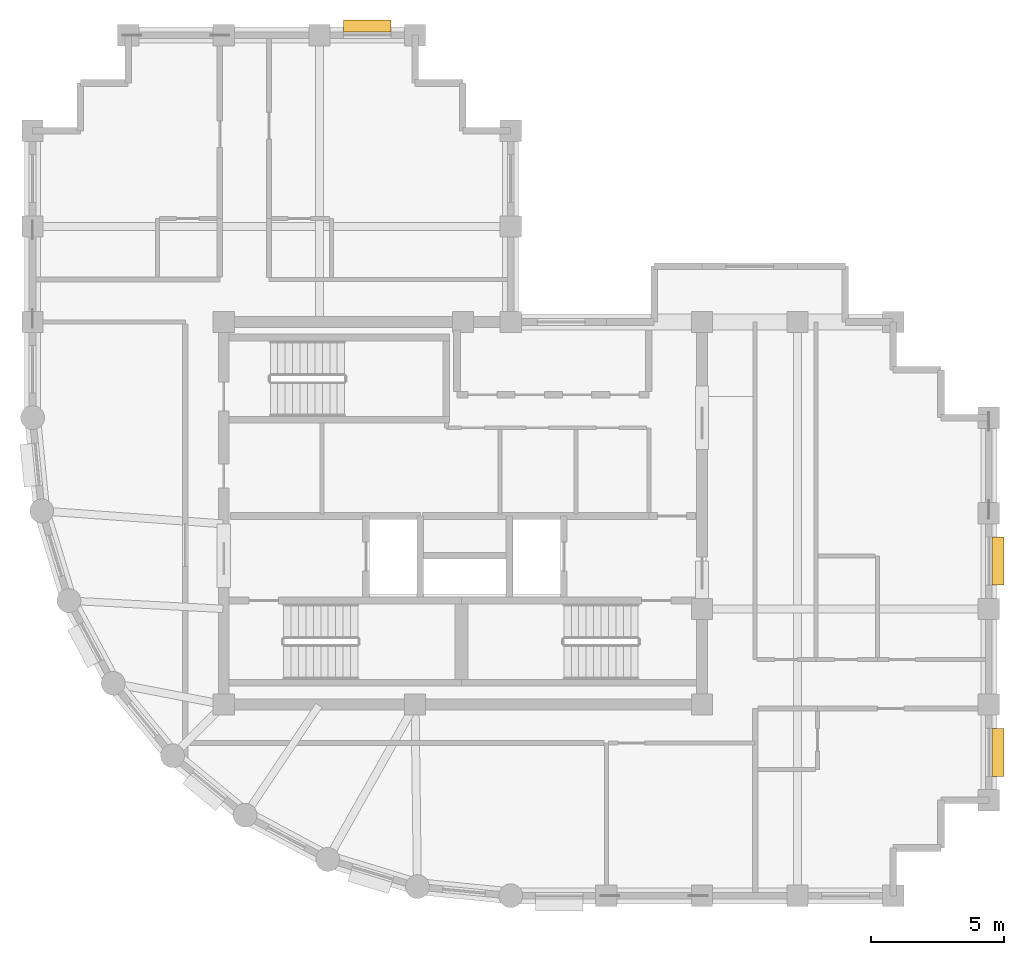
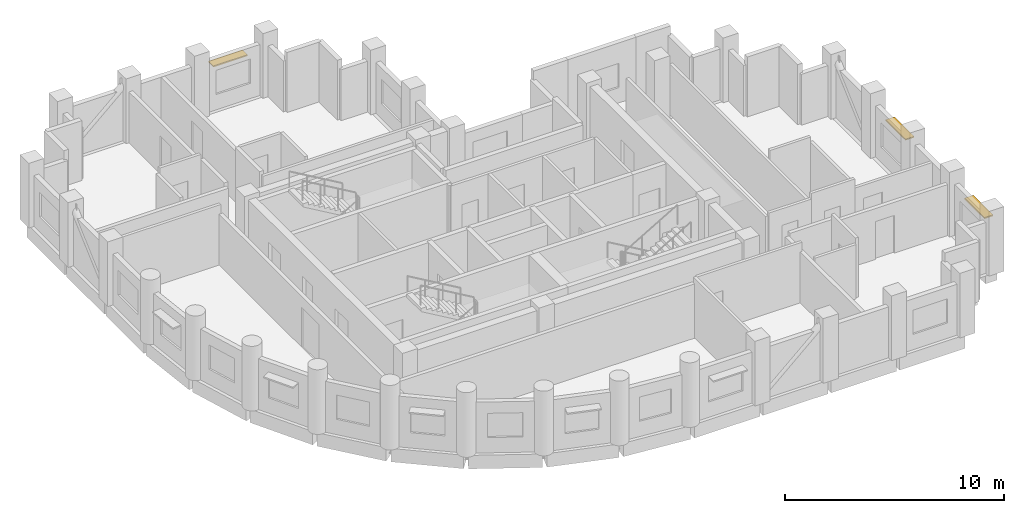
# One storey, part 7 of 7: 3 shading devices.
"""IFC4 building model written with IfcOpenShell, lengths in metres."""

from ifc_helpers import new_model, si_unit, direction, frame, origin, origin_2d, place, context, subcontext, project, spatial, rectangle, extrude, material, layer, layer_set, type_object, element, save


model = new_model("IFC4")

# Units and contexts
model_context = context("Model", 3, precision=1e-05, world=origin(), true_north=direction((0.0, 1.0)))
body_context = subcontext(model_context, "Body", "Model", "MODEL_VIEW")
ifc_project = project(units=[si_unit("LENGTHUNIT", "METRE"), si_unit("AREAUNIT", "SQUARE_METRE"), si_unit("VOLUMEUNIT", "CUBIC_METRE"), si_unit("PLANEANGLEUNIT", "RADIAN"), si_unit("MASSUNIT", "GRAM", prefix="KILO")], contexts=[model_context])

# Site, building, storey
site_placement = place(None, origin())
site = spatial("IfcSite", under=ifc_project, at=site_placement, CompositionType="ELEMENT")
building_placement = place(site_placement, origin())
building = spatial("IfcBuilding", under=site, at=building_placement, Name="Solnavia Interchange Tower", CompositionType="ELEMENT")
storey_placement = place(building_placement, frame((0.0, 0.0, 281.0)))
storey = spatial("IfcBuildingStorey", under=building, at=storey_placement, Name="L71", CompositionType="ELEMENT", Elevation=281.0)

# Shading devices
ifc_material = material(Name="Anodised Aluminium Sunshade", Category="aluminium")
ifc_layer = layer(ifc_material, 0.070068359375)
ifc_layer_set = layer_set([ifc_layer], Name="Anodised Aluminium Sunshade")
shading_device_type = type_object("IfcShadingDeviceType", Name="Sunshade-Band-450", PredefinedType="JALOUSIE", material=ifc_layer_set)
for number, where, z_axis, x_axis, name in (
    (1, (43.544921875, 9.0, 2.22509765625), (0.0, 0.0, 1.0), (0.0, -1.0, 0.0), "SHD-L71-09 Horizontal sunshade band"),
    (2, (43.544921875, 16.199951171875, 2.22509765625), (0.0, 0.0, 1.0), (0.0, -1.0, 0.0), "SHD-L71-11 Horizontal sunshade band"),
    (3, (19.800048828125, 36.344970703125, 2.22509765625), (0.0, 0.0, 1.0), (1.0, 0.0, 0.0), "SHD-L71-31 Horizontal sunshade band"),
):
    element("IfcShadingDevice", number, at=place(storey_placement, frame(where, z_axis=z_axis, x_axis=x_axis)), inside=storey, type_object=shading_device_type, Name=name, PredefinedType="JALOUSIE", context=body_context, shape_type="SweptSolid", body=[
        extrude(rectangle(XDim=1.800048828125, YDim=0.449951171875, at=origin_2d()), origin(), (0.0, 0.0, 1.0), 0.070068359375),
    ])

save(model, "model.ifc")
